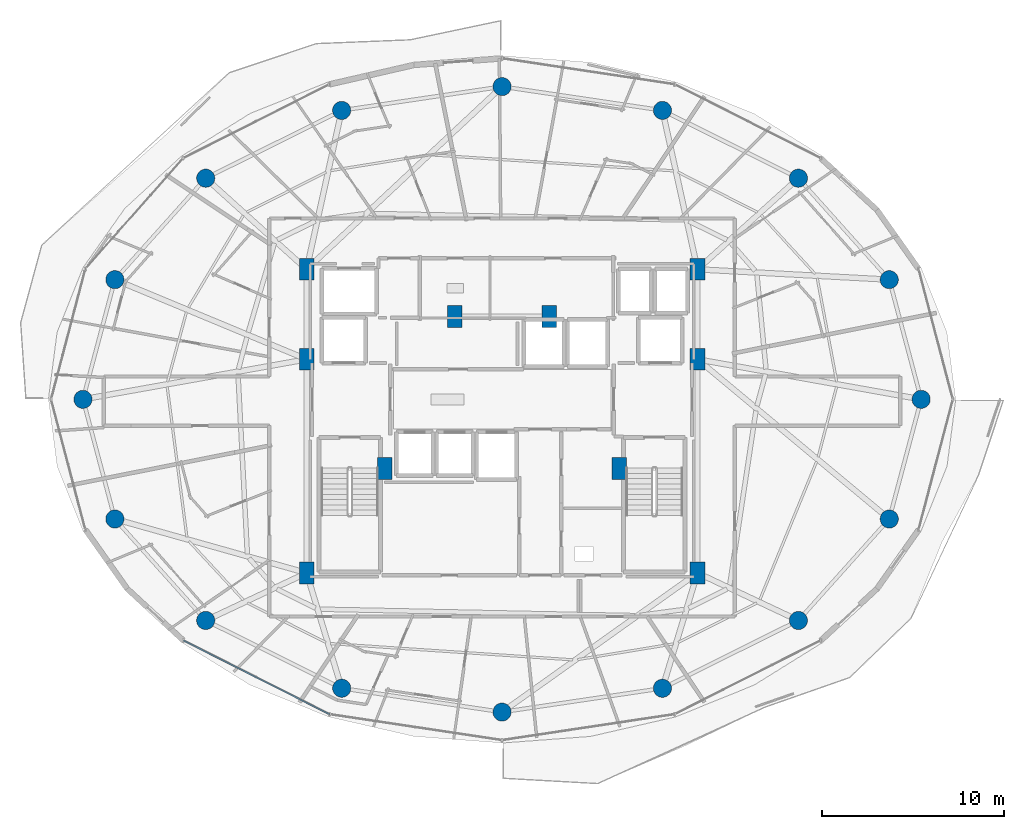
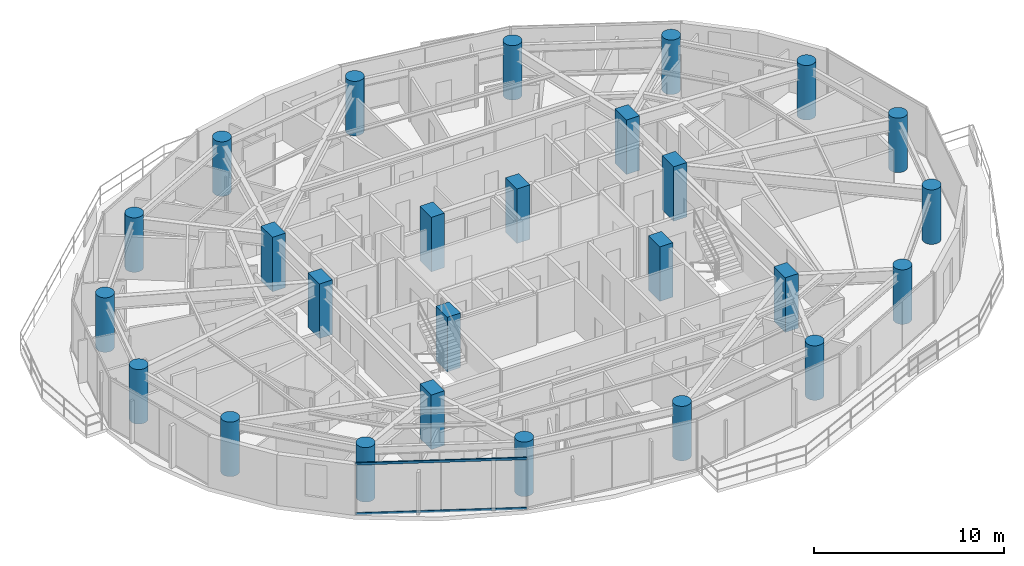
# One storey, part 1 of 29: 26 columns, 2 members, 1 element without a shape of its own.
"""IFC4 building model written with IfcOpenShell, lengths in metres."""

from ifc_helpers import new_model, si_unit, direction, frame, origin, origin_2d, place, context, subcontext, project, spatial, rectangle, hollow_rectangle, circle, extrude, material, material_profile, profile_set, type_object, element, aggregate, save


model = new_model("IFC4")

# Units and contexts
model_context = context("Model", 3, precision=1e-05, world=origin(), true_north=direction((0.0, 1.0)))
body_context = subcontext(model_context, "Body", "Model", "MODEL_VIEW")
ifc_project = project(units=[si_unit("LENGTHUNIT", "METRE"), si_unit("AREAUNIT", "SQUARE_METRE"), si_unit("VOLUMEUNIT", "CUBIC_METRE"), si_unit("PLANEANGLEUNIT", "RADIAN"), si_unit("MASSUNIT", "GRAM", prefix="KILO")], contexts=[model_context])

# Site, building, storey
site_placement = place(None, origin())
site = spatial("IfcSite", under=ifc_project, at=site_placement, CompositionType="ELEMENT")
building_placement = place(site_placement, origin())
building = spatial("IfcBuilding", under=site, at=building_placement, Name="Vorneva Point Tower", CompositionType="ELEMENT")
storey_placement = place(building_placement, frame((0.0, 0.0, 150.10009765625)))
storey = spatial("IfcBuildingStorey", under=building, at=storey_placement, Name="L40", CompositionType="ELEMENT", Elevation=150.10009765625)

# Columns
ifc_material_1 = material(Name="Concrete B60 (C50/60)", Category="concrete")
ifc_material_profile_1 = material_profile(ifc_material_1, circle(Radius=0.5, at=origin_2d()), Name="RC-CIRC 1000")
ifc_profile_set_1 = profile_set([ifc_material_profile_1], Name="Concrete B60 (C50/60)")
column_type_1 = type_object("IfcColumnType", Name="COL-RC1000C", PredefinedType="COLUMN", material=ifc_profile_set_1)
for number, where, z_axis, x_axis, name in (
    (1, (61.050048828125, 26.0, 0.0), (0.0, 0.0, 1.0), (1.0, 0.0, 0.0), "L40 Perimeter Column P01"),
    (2, (59.29541015625, 32.582275390625, 0.0), (0.0, 0.0, 1.0), (0.923879532511, 0.382683432365, 0.0), "L40 Perimeter Column P02"),
    (3, (54.298828125, 38.162109375, 0.0), (0.0, 0.0, 1.0), (0.707106781187, 0.707106781187, 0.0), "L40 Perimeter Column P03"),
    (4, (46.82080078125, 41.890625, 0.0), (0.0, 0.0, 1.0), (0.382683432365, 0.923879532511, 0.0), "L40 Perimeter Column P04"),
    (5, (38.0, 43.199951171875, 0.0), (0.0, 0.0, 1.0), (0.0, 1.0, 0.0), "L40 Perimeter Column P05"),
    (6, (29.17919921875, 41.890625, 0.0), (0.0, 0.0, 1.0), (-0.382683432365, 0.923879532511, 0.0), "L40 Perimeter Column P06"),
    (7, (21.701171875, 38.162109375, 0.0), (0.0, 0.0, 1.0), (-0.707106781187, 0.707106781187, 0.0), "L40 Perimeter Column P07"),
    (8, (16.70458984375, 32.582275390625, 0.0), (0.0, 0.0, 1.0), (-0.923879532511, 0.382683432365, 0.0), "L40 Perimeter Column P08"),
    (9, (14.949951171875, 26.0, 0.0), (0.0, 0.0, 1.0), (-1.0, 0.0, 0.0), "L40 Perimeter Column P09"),
    (10, (16.70458984375, 19.417724609375, 0.0), (0.0, 0.0, 1.0), (-0.923879532511, -0.382683432365, 0.0), "L40 Perimeter Column P10"),
    (11, (21.701171875, 13.837890625, 0.0), (0.0, 0.0, 1.0), (-0.707106781187, -0.707106781187, 0.0), "L40 Perimeter Column P11"),
    (12, (29.17919921875, 10.109375, 0.0), (0.0, 0.0, 1.0), (-0.382683432365, -0.923879532511, 0.0), "L40 Perimeter Column P12"),
    (13, (38.0, 8.800048828125, 0.0), (0.0, 0.0, 1.0), (0.0, -1.0, 0.0), "L40 Perimeter Column P13"),
    (14, (46.82080078125, 10.109375, 0.0), (0.0, 0.0, 1.0), (0.382683432365, -0.923879532511, 0.0), "L40 Perimeter Column P14"),
    (15, (54.298828125, 13.837890625, 0.0), (0.0, 0.0, 1.0), (0.707106781187, -0.707106781187, 0.0), "L40 Perimeter Column P15"),
    (16, (59.29541015625, 19.417724609375, 0.0), (0.0, 0.0, 1.0), (0.923879532511, -0.382683432365, 0.0), "L40 Perimeter Column P16"),
):
    element("IfcColumn", number, at=place(storey_placement, frame(where, z_axis=z_axis, x_axis=x_axis)), inside=storey, type_object=column_type_1, Name=name, PredefinedType="COLUMN", context=body_context, shape_type="SweptSolid", body=[
        extrude(circle(Radius=0.5, at=origin_2d()), origin(), (0.0, 0.0, 1.0), 3.5),
    ])
ifc_material_profile_2 = material_profile(ifc_material_1, rectangle(XDim=0.800048828125, YDim=1.199951171875, at=origin_2d()), Name="RC-PIL 1200x800")
ifc_profile_set_2 = profile_set([ifc_material_profile_2], Name="Concrete B60 (C50/60)")
column_type_2 = type_object("IfcColumnType", Name="PIL-RC1200x800", PredefinedType="PILASTER", material=ifc_profile_set_2)
for number, where, z_axis, x_axis, name in (
    (17, (27.25, 16.449951171875, 0.0), (0.0, 0.0, 1.0), (1.0, 0.0, 0.0), "L40 Core Pilaster CP1"),
    (18, (27.25, 28.199951171875, 0.0), (0.0, 0.0, 1.0), (1.0, 0.0, 0.0), "L40 Core Pilaster CP2"),
    (19, (27.25, 33.14990234375, 0.0), (0.0, 0.0, 1.0), (1.0, 0.0, 0.0), "L40 Core Pilaster CP3"),
    (20, (31.550048828125, 22.199951171875, 0.0), (0.0, 0.0, 1.0), (1.0, 0.0, 0.0), "L40 Core Pilaster CP4"),
    (21, (48.75, 33.14990234375, 0.0), (0.0, 0.0, 1.0), (1.0, 0.0, 0.0), "L40 Core Pilaster CP5"),
    (22, (48.75, 28.199951171875, 0.0), (0.0, 0.0, 1.0), (1.0, 0.0, 0.0), "L40 Core Pilaster CP6"),
    (23, (48.75, 16.449951171875, 0.0), (0.0, 0.0, 1.0), (1.0, 0.0, 0.0), "L40 Core Pilaster CP7"),
    (24, (44.449951171875, 22.199951171875, 0.0), (0.0, 0.0, 1.0), (1.0, 0.0, 0.0), "L40 Core Pilaster CP8"),
    (25, (35.39990234375, 30.550048828125, 0.0), (0.0, 0.0, 1.0), (1.0, 0.0, 0.0), "L40 Core Pilaster CP9"),
    (26, (40.60009765625, 30.550048828125, 0.0), (0.0, 0.0, 1.0), (1.0, 0.0, 0.0), "L40 Core Pilaster CP10"),
):
    element("IfcColumn", number, at=place(storey_placement, frame(where, z_axis=z_axis, x_axis=x_axis)), inside=storey, type_object=column_type_2, Name=name, PredefinedType="PILASTER", context=body_context, shape_type="SweptSolid", body=[
        extrude(rectangle(XDim=0.800048828125, YDim=1.199951171875, at=origin_2d()), origin(), (0.0, 0.0, 1.0), 3.5),
    ])

# Curtain wall, members
ifc_material_2 = material(Name="Pale anodised aluminium", Category="aluminium")
curtain_wall_type = type_object("IfcCurtainWallType", Name="CW-RES-SYS", PredefinedType="NOTDEFINED", material=ifc_material_2)
curtain_wall_placement = place(storey_placement, origin())
curtain_wall = element("IfcCurtainWall", 27, at=curtain_wall_placement, inside=storey, type_object=curtain_wall_type, Name="L40 Unitised Curtain Wall CW-L40-R04", PredefinedType="NOTDEFINED")
ifc_material_profile_3 = material_profile(ifc_material_2, hollow_rectangle(XDim=0.074951171875, YDim=0.14990234375, WallThickness=0.00390625, at=origin_2d()), Name="AL-TRN 150x75x4")
ifc_profile_set_3 = profile_set([ifc_material_profile_3], Name="Pale anodised aluminium")
member_type = type_object("IfcMemberType", Name="CW-TRN-150", PredefinedType="USERDEFINED", material=ifc_profile_set_3)
member_1_placement = place(storey_placement, frame((20.4638671875, 12.74169921875, 0.02001953125), z_axis=(0.892572392955, -0.450904117673, 0.0), x_axis=(0.450904117673, 0.892572392955, 0.0)))
member_1 = element("IfcMember", 28, at=member_1_placement, type_object=member_type, Name="CW-L40-R04 Transom 01.1", ObjectType="TRANSOM", PredefinedType="USERDEFINED", context=body_context, shape_type="SweptSolid", body=[
    extrude(hollow_rectangle(XDim=0.074951171875, YDim=0.14990234375, WallThickness=0.00390625, at=origin_2d()), origin(), (0.0, 0.0, 1.0), 9.013916015625),
])
member_2_placement = place(storey_placement, frame((20.4638671875, 12.74169921875, 3.219970703125), z_axis=(0.892572392955, -0.450904117673, 0.0), x_axis=(0.450904117673, 0.892572392955, 0.0)))
member_2 = element("IfcMember", 29, at=member_2_placement, type_object=member_type, Name="CW-L40-R04 Transom 01.2", ObjectType="TRANSOM", PredefinedType="USERDEFINED", context=body_context, shape_type="SweptSolid", body=[
    extrude(hollow_rectangle(XDim=0.074951171875, YDim=0.14990234375, WallThickness=0.00390625, at=origin_2d()), origin(), (0.0, 0.0, 1.0), 9.013916015625),
])
aggregate(curtain_wall, [member_1, member_2])

save(model, "model.ifc")
